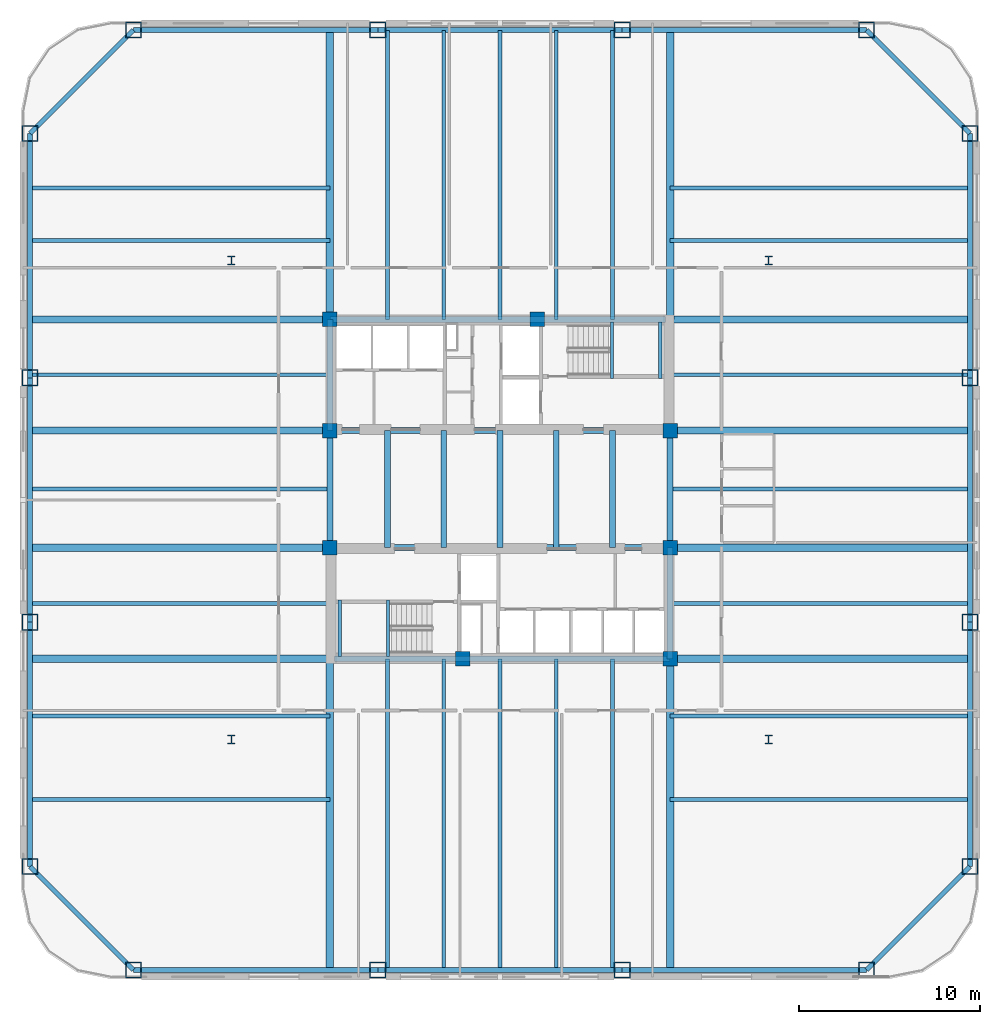
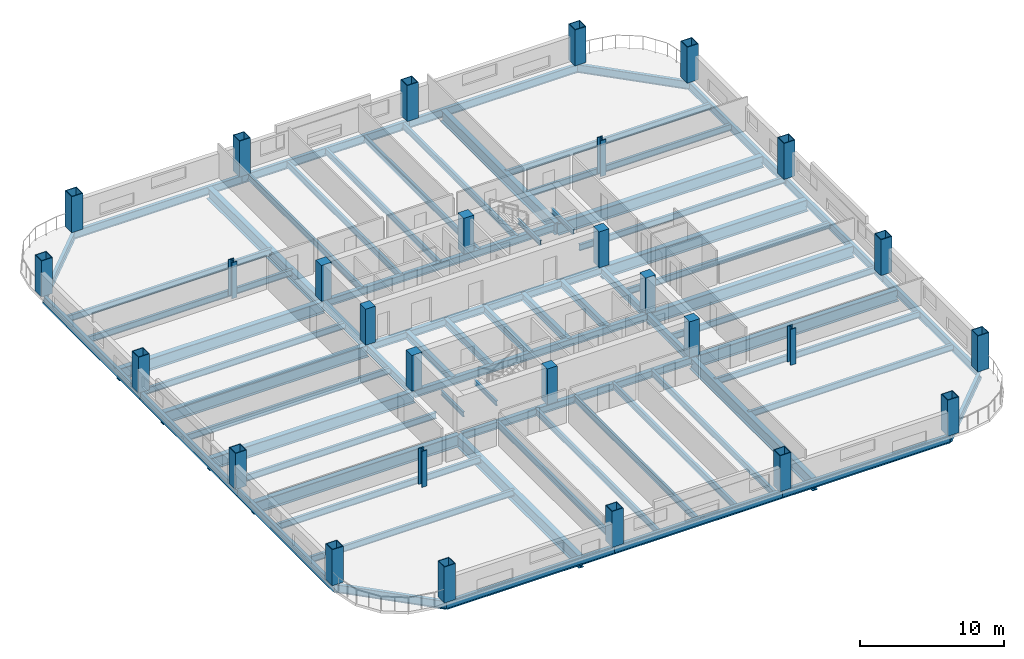
# One storey, part 1 of 12: 69 beams, 28 columns.
"""IFC4 building model written with IfcOpenShell, lengths in metres."""

from ifc_helpers import new_model, si_unit, direction, frame, origin, origin_2d, place, context, subcontext, project, spatial, rectangle, hollow_rectangle, i_section, extrude, material, material_profile, profile_set, type_object, element, save


model = new_model("IFC4")

# Units and contexts
model_context = context("Model", 3, precision=1e-05, world=origin(), true_north=direction((0.0, 1.0)))
body_context = subcontext(model_context, "Body", "Model", "MODEL_VIEW")
ifc_project = project(units=[si_unit("LENGTHUNIT", "METRE"), si_unit("AREAUNIT", "SQUARE_METRE"), si_unit("VOLUMEUNIT", "CUBIC_METRE"), si_unit("PLANEANGLEUNIT", "RADIAN"), si_unit("MASSUNIT", "GRAM", prefix="KILO")], contexts=[model_context])

# Site, building, storey
site_placement = place(None, origin())
site = spatial("IfcSite", under=ifc_project, at=site_placement, CompositionType="ELEMENT")
building_placement = place(site_placement, origin())
building = spatial("IfcBuilding", under=site, at=building_placement, Name="Qhalaya Broadcast Tower", CompositionType="ELEMENT")
storey_placement = place(building_placement, frame((0.0, 0.0, 41.35009765625)))
storey = spatial("IfcBuildingStorey", under=building, at=storey_placement, Name="L11", CompositionType="ELEMENT", Elevation=41.35009765625)

# Columns
ifc_material_1 = material(Name="Concrete C50/60", Category="concrete")
ifc_material_profile_1 = material_profile(ifc_material_1, rectangle(XDim=0.800048828125, YDim=0.800048828125, at=origin_2d()), Name="RC-COL 800x800")
ifc_profile_set_1 = profile_set([ifc_material_profile_1], Name="Concrete C50/60")
column_type_1 = type_object("IfcColumnType", Name="RC Upper Column C10", PredefinedType="COLUMN", material=ifc_profile_set_1)
for number, where, z_axis, x_axis, name in (
    (1, (-9.375, 9.949951171875, 0.0), (0.0, 0.0, 1.0), (1.0, 0.0, 0.0), "L11 Column COL-CC1"),
    (2, (2.050048828125, 9.949951171875, 0.0), (0.0, 0.0, 1.0), (1.0, 0.0, 0.0), "L11 Column COL-CC2"),
    (3, (-9.375, 3.824951171875, 0.0), (0.0, 0.0, 1.0), (1.0, 0.0, 0.0), "L11 Column COL-CC3"),
    (4, (9.375, 3.824951171875, 0.0), (0.0, 0.0, 1.0), (1.0, 0.0, 0.0), "L11 Column COL-CC4"),
    (5, (-9.375, -2.625, 0.0), (0.0, 0.0, 1.0), (1.0, 0.0, 0.0), "L11 Column COL-CC5"),
    (6, (9.375, -2.625, 0.0), (0.0, 0.0, 1.0), (1.0, 0.0, 0.0), "L11 Column COL-CC6"),
    (7, (-2.050048828125, -8.75, 0.0), (0.0, 0.0, 1.0), (1.0, 0.0, 0.0), "L11 Column COL-CC7"),
    (8, (9.375, -8.75, 0.0), (0.0, 0.0, 1.0), (1.0, 0.0, 0.0), "L11 Column COL-CC8"),
):
    element("IfcColumn", number, at=place(storey_placement, frame(where, z_axis=z_axis, x_axis=x_axis)), inside=storey, type_object=column_type_1, Name=name, PredefinedType="COLUMN", context=body_context, shape_type="SweptSolid", body=[
        extrude(rectangle(XDim=0.800048828125, YDim=0.800048828125, at=origin_2d()), origin(), (0.0, 0.0, 1.0), 3.0498046875),
    ])
ifc_material_2 = material(Name="Structural Steel ASTM A992 Grade 50", Category="steel")
ifc_material_profile_2 = material_profile(ifc_material_2, i_section(OverallWidth=0.41796875, OverallDepth=0.510009765625, WebThickness=0.0419921875, FlangeThickness=0.067626953125, at=origin_2d()), Name="W14X370")
ifc_profile_set_2 = profile_set([ifc_material_profile_2], Name="Structural Steel ASTM A992 Grade 50")
column_type_2 = type_object("IfcColumnType", Name="Rolled Gravity Column C06", PredefinedType="COLUMN", material=ifc_profile_set_2)
for number, where, z_axis, x_axis, name in (
    (9, (-14.800048828125, -13.199951171875, 0.0), (0.0, 0.0, 1.0), (1.0, 0.0, 0.0), "L11 Column COL-GR1"),
    (10, (14.800048828125, -13.199951171875, 0.0), (0.0, 0.0, 1.0), (1.0, 0.0, 0.0), "L11 Column COL-GR2"),
    (11, (-14.800048828125, 13.199951171875, 0.0), (0.0, 0.0, 1.0), (1.0, 0.0, 0.0), "L11 Column COL-GR3"),
    (12, (14.800048828125, 13.199951171875, 0.0), (0.0, 0.0, 1.0), (1.0, 0.0, 0.0), "L11 Column COL-GR4"),
):
    element("IfcColumn", number, at=place(storey_placement, frame(where, z_axis=z_axis, x_axis=x_axis)), inside=storey, type_object=column_type_2, Name=name, PredefinedType="COLUMN", context=body_context, shape_type="SweptSolid", body=[
        extrude(i_section(OverallWidth=0.41796875, OverallDepth=0.510009765625, WebThickness=0.0419921875, FlangeThickness=0.067626953125, at=origin_2d()), origin(), (0.0, 0.0, 1.0), 3.0498046875),
    ])
ifc_material_3 = material(Name="Structural Steel ASTM A572 Grade 50", Category="steel")
ifc_material_profile_3 = material_profile(ifc_material_3, hollow_rectangle(XDim=0.89990234375, YDim=0.89990234375, WallThickness=0.054931640625, at=origin_2d()), Name="BOX 900x900x55")
ifc_profile_set_3 = profile_set([ifc_material_profile_3], Name="Structural Steel ASTM A572 Grade 50")
column_type_3 = type_object("IfcColumnType", Name="Steel Box Column C02", PredefinedType="COLUMN", material=ifc_profile_set_3)
for number, where, z_axis, x_axis, name in (
    (13, (-20.199951171875, -25.89990234375, 0.0), (0.0, 0.0, 1.0), (1.0, 0.0, 0.0), "L11 Column COL-EX01"),
    (14, (-6.7333984375, -25.89990234375, 0.0), (0.0, 0.0, 1.0), (1.0, 0.0, 0.0), "L11 Column COL-EX02"),
    (15, (6.7333984375, -25.89990234375, 0.0), (0.0, 0.0, 1.0), (1.0, 0.0, 0.0), "L11 Column COL-EX03"),
    (16, (20.199951171875, -25.89990234375, 0.0), (0.0, 0.0, 1.0), (1.0, 0.0, 0.0), "L11 Column COL-EX04"),
    (17, (25.89990234375, -20.199951171875, 0.0), (0.0, 0.0, 1.0), (0.0, 1.0, 0.0), "L11 Column COL-EX05"),
    (18, (25.89990234375, -6.7333984375, 0.0), (0.0, 0.0, 1.0), (0.0, 1.0, 0.0), "L11 Column COL-EX06"),
    (19, (25.89990234375, 6.7333984375, 0.0), (0.0, 0.0, 1.0), (0.0, 1.0, 0.0), "L11 Column COL-EX07"),
    (20, (25.89990234375, 20.199951171875, 0.0), (0.0, 0.0, 1.0), (0.0, 1.0, 0.0), "L11 Column COL-EX08"),
    (21, (20.199951171875, 25.89990234375, 0.0), (0.0, 0.0, 1.0), (1.0, 0.0, 0.0), "L11 Column COL-EX09"),
    (22, (6.7333984375, 25.89990234375, 0.0), (0.0, 0.0, 1.0), (1.0, 0.0, 0.0), "L11 Column COL-EX10"),
    (23, (-6.7333984375, 25.89990234375, 0.0), (0.0, 0.0, 1.0), (1.0, 0.0, 0.0), "L11 Column COL-EX11"),
    (24, (-20.199951171875, 25.89990234375, 0.0), (0.0, 0.0, 1.0), (1.0, 0.0, 0.0), "L11 Column COL-EX12"),
    (25, (-25.89990234375, 20.199951171875, 0.0), (0.0, 0.0, 1.0), (0.0, 1.0, 0.0), "L11 Column COL-EX13"),
    (26, (-25.89990234375, 6.7333984375, 0.0), (0.0, 0.0, 1.0), (0.0, 1.0, 0.0), "L11 Column COL-EX14"),
    (27, (-25.89990234375, -6.7333984375, 0.0), (0.0, 0.0, 1.0), (0.0, 1.0, 0.0), "L11 Column COL-EX15"),
    (28, (-25.89990234375, -20.199951171875, 0.0), (0.0, 0.0, 1.0), (0.0, 1.0, 0.0), "L11 Column COL-EX16"),
):
    element("IfcColumn", number, at=place(storey_placement, frame(where, z_axis=z_axis, x_axis=x_axis)), inside=storey, type_object=column_type_3, Name=name, PredefinedType="COLUMN", context=body_context, shape_type="SweptSolid", body=[
        extrude(hollow_rectangle(XDim=0.89990234375, YDim=0.89990234375, WallThickness=0.054931640625, at=origin_2d()), origin(), (0.0, 0.0, 1.0), 3.0498046875),
    ])

# Beams
ifc_material_profile_4 = material_profile(ifc_material_2, i_section(OverallWidth=0.2099609375, OverallDepth=0.535888671875, WebThickness=0.010986328125, FlangeThickness=0.017333984375, at=origin_2d()), Name="W21X68")
ifc_profile_set_4 = profile_set([ifc_material_profile_4], Name="Structural Steel ASTM A992 Grade 50")
beam_type_1 = type_object("IfcBeamType", Name="Composite Floor Joist J02", PredefinedType="JOIST", material=ifc_profile_set_4)
beam_1_placement = place(storey_placement, frame((-6.199951171875, -25.8798828125, -0.488037109375), z_axis=(0.0, 1.0, 0.0), x_axis=(-1.0, 0.0, 0.0)))
element("IfcBeam", 29, at=beam_1_placement, inside=storey, type_object=beam_type_1, Name="L11 J02 L11-JNS1-1", PredefinedType="JOIST", context=body_context, shape_type="SweptSolid", body=[
    extrude(i_section(OverallWidth=0.2099609375, OverallDepth=0.535888671875, WebThickness=0.010986328125, FlangeThickness=0.017333984375, at=origin_2d()), origin(), (0.0, 0.0, 1.0), 17.1298828125),
])
beam_2_placement = place(storey_placement, frame((-6.199951171875, 9.949951171875, -0.488037109375), z_axis=(0.0, 1.0, 0.0), x_axis=(-1.0, 0.0, 0.0)))
element("IfcBeam", 30, at=beam_2_placement, inside=storey, type_object=beam_type_1, Name="L11 J02 L11-JNN1-1", PredefinedType="JOIST", context=body_context, shape_type="SweptSolid", body=[
    extrude(i_section(OverallWidth=0.2099609375, OverallDepth=0.535888671875, WebThickness=0.010986328125, FlangeThickness=0.017333984375, at=origin_2d()), origin(), (0.0, 0.0, 1.0), 15.929931640625),
])
beam_3_placement = place(storey_placement, frame((-3.10009765625, -25.8798828125, -0.488037109375), z_axis=(0.0, 1.0, 0.0), x_axis=(-1.0, 0.0, 0.0)))
element("IfcBeam", 31, at=beam_3_placement, inside=storey, type_object=beam_type_1, Name="L11 J02 L11-JNS2-1", PredefinedType="JOIST", context=body_context, shape_type="SweptSolid", body=[
    extrude(i_section(OverallWidth=0.2099609375, OverallDepth=0.535888671875, WebThickness=0.010986328125, FlangeThickness=0.017333984375, at=origin_2d()), origin(), (0.0, 0.0, 1.0), 17.1298828125),
])
beam_4_placement = place(storey_placement, frame((-3.10009765625, 9.949951171875, -0.488037109375), z_axis=(0.0, 1.0, 0.0), x_axis=(-1.0, 0.0, 0.0)))
element("IfcBeam", 32, at=beam_4_placement, inside=storey, type_object=beam_type_1, Name="L11 J02 L11-JNN2-1", PredefinedType="JOIST", context=body_context, shape_type="SweptSolid", body=[
    extrude(i_section(OverallWidth=0.2099609375, OverallDepth=0.535888671875, WebThickness=0.010986328125, FlangeThickness=0.017333984375, at=origin_2d()), origin(), (0.0, 0.0, 1.0), 15.929931640625),
])
beam_5_placement = place(storey_placement, frame((0.0, -25.8798828125, -0.488037109375), z_axis=(0.0, 1.0, 0.0), x_axis=(-1.0, 0.0, 0.0)))
element("IfcBeam", 33, at=beam_5_placement, inside=storey, type_object=beam_type_1, Name="L11 J02 L11-JNS3-1", PredefinedType="JOIST", context=body_context, shape_type="SweptSolid", body=[
    extrude(i_section(OverallWidth=0.2099609375, OverallDepth=0.535888671875, WebThickness=0.010986328125, FlangeThickness=0.017333984375, at=origin_2d()), origin(), (0.0, 0.0, 1.0), 17.1298828125),
])
beam_6_placement = place(storey_placement, frame((0.0, 9.949951171875, -0.488037109375), z_axis=(0.0, 1.0, 0.0), x_axis=(-1.0, 0.0, 0.0)))
element("IfcBeam", 34, at=beam_6_placement, inside=storey, type_object=beam_type_1, Name="L11 J02 L11-JNN3-1", PredefinedType="JOIST", context=body_context, shape_type="SweptSolid", body=[
    extrude(i_section(OverallWidth=0.2099609375, OverallDepth=0.535888671875, WebThickness=0.010986328125, FlangeThickness=0.017333984375, at=origin_2d()), origin(), (0.0, 0.0, 1.0), 15.929931640625),
])
beam_7_placement = place(storey_placement, frame((3.10009765625, -25.8798828125, -0.488037109375), z_axis=(0.0, 1.0, 0.0), x_axis=(-1.0, 0.0, 0.0)))
element("IfcBeam", 35, at=beam_7_placement, inside=storey, type_object=beam_type_1, Name="L11 J02 L11-JNS4-1", PredefinedType="JOIST", context=body_context, shape_type="SweptSolid", body=[
    extrude(i_section(OverallWidth=0.2099609375, OverallDepth=0.535888671875, WebThickness=0.010986328125, FlangeThickness=0.017333984375, at=origin_2d()), origin(), (0.0, 0.0, 1.0), 17.1298828125),
])
beam_8_placement = place(storey_placement, frame((3.10009765625, 9.949951171875, -0.488037109375), z_axis=(0.0, 1.0, 0.0), x_axis=(-1.0, 0.0, 0.0)))
element("IfcBeam", 36, at=beam_8_placement, inside=storey, type_object=beam_type_1, Name="L11 J02 L11-JNN4-1", PredefinedType="JOIST", context=body_context, shape_type="SweptSolid", body=[
    extrude(i_section(OverallWidth=0.2099609375, OverallDepth=0.535888671875, WebThickness=0.010986328125, FlangeThickness=0.017333984375, at=origin_2d()), origin(), (0.0, 0.0, 1.0), 15.929931640625),
])
beam_9_placement = place(storey_placement, frame((6.199951171875, -25.8798828125, -0.488037109375), z_axis=(0.0, 1.0, 0.0), x_axis=(-1.0, 0.0, 0.0)))
element("IfcBeam", 37, at=beam_9_placement, inside=storey, type_object=beam_type_1, Name="L11 J02 L11-JNS5-1", PredefinedType="JOIST", context=body_context, shape_type="SweptSolid", body=[
    extrude(i_section(OverallWidth=0.2099609375, OverallDepth=0.535888671875, WebThickness=0.010986328125, FlangeThickness=0.017333984375, at=origin_2d()), origin(), (0.0, 0.0, 1.0), 17.1298828125),
])
beam_10_placement = place(storey_placement, frame((6.199951171875, 9.949951171875, -0.488037109375), z_axis=(0.0, 1.0, 0.0), x_axis=(-1.0, 0.0, 0.0)))
element("IfcBeam", 38, at=beam_10_placement, inside=storey, type_object=beam_type_1, Name="L11 J02 L11-JNN5-1", PredefinedType="JOIST", context=body_context, shape_type="SweptSolid", body=[
    extrude(i_section(OverallWidth=0.2099609375, OverallDepth=0.535888671875, WebThickness=0.010986328125, FlangeThickness=0.017333984375, at=origin_2d()), origin(), (0.0, 0.0, 1.0), 15.929931640625),
])
for number, where, z_axis, x_axis, name in (
    (39, (-25.8798828125, -16.5, -0.488037109375), (1.0, 0.0, 0.0), (0.0, 1.0, 0.0), "L11 J02 L11-JWE1W-1"),
    (40, (9.375, -16.5, -0.488037109375), (1.0, 0.0, 0.0), (0.0, 1.0, 0.0), "L11 J02 L11-JWE1E-1"),
    (41, (-25.8798828125, -11.89990234375, -0.488037109375), (1.0, 0.0, 0.0), (0.0, 1.0, 0.0), "L11 J02 L11-JWE2W-1"),
    (42, (9.375, -11.89990234375, -0.488037109375), (1.0, 0.0, 0.0), (0.0, 1.0, 0.0), "L11 J02 L11-JWE2E-1"),
    (43, (-25.8798828125, -5.699951171875, -0.488037109375), (1.0, 0.0, 0.0), (0.0, 1.0, 0.0), "L11 J02 L11-JWE3W-1"),
    (44, (9.375, -5.699951171875, -0.488037109375), (1.0, 0.0, 0.0), (0.0, 1.0, 0.0), "L11 J02 L11-JWE3E-1"),
    (45, (-25.8798828125, 0.60009765625, -0.488037109375), (1.0, 0.0, 0.0), (0.0, 1.0, 0.0), "L11 J02 L11-JWE4W-1"),
    (46, (9.375, 0.60009765625, -0.488037109375), (1.0, 0.0, 0.0), (0.0, 1.0, 0.0), "L11 J02 L11-JWE4E-1"),
    (47, (-25.8798828125, 6.89990234375, -0.488037109375), (1.0, 0.0, 0.0), (0.0, 1.0, 0.0), "L11 J02 L11-JWE5W-1"),
    (48, (9.375, 6.89990234375, -0.488037109375), (1.0, 0.0, 0.0), (0.0, 1.0, 0.0), "L11 J02 L11-JWE5E-1"),
    (49, (-25.8798828125, 14.300048828125, -0.488037109375), (1.0, 0.0, 0.0), (0.0, 1.0, 0.0), "L11 J02 L11-JWE6W-1"),
    (50, (9.375, 14.300048828125, -0.488037109375), (1.0, 0.0, 0.0), (0.0, 1.0, 0.0), "L11 J02 L11-JWE6E-1"),
    (51, (-25.8798828125, 17.199951171875, -0.488037109375), (1.0, 0.0, 0.0), (0.0, 1.0, 0.0), "L11 J02 L11-JWE7W-1"),
    (52, (9.375, 17.199951171875, -0.488037109375), (1.0, 0.0, 0.0), (0.0, 1.0, 0.0), "L11 J02 L11-JWE7E-1"),
):
    element("IfcBeam", number, at=place(storey_placement, frame(where, z_axis=z_axis, x_axis=x_axis)), inside=storey, type_object=beam_type_1, Name=name, PredefinedType="JOIST", context=body_context, shape_type="SweptSolid", body=[
        extrude(i_section(OverallWidth=0.2099609375, OverallDepth=0.535888671875, WebThickness=0.010986328125, FlangeThickness=0.017333984375, at=origin_2d()), origin(), (0.0, 0.0, 1.0), 16.5048828125),
    ])
ifc_material_profile_5 = material_profile(ifc_material_2, i_section(OverallWidth=0.323974609375, OverallDepth=0.612060546875, WebThickness=0.0126953125, FlangeThickness=0.01904296875, at=origin_2d()), Name="W24X104")
ifc_profile_set_5 = profile_set([ifc_material_profile_5], Name="Structural Steel ASTM A992 Grade 50")
beam_type_2 = type_object("IfcBeamType", Name="Core Frame Tie Beam B04", PredefinedType="BEAM", material=ifc_profile_set_5)
beam_11_placement = place(storey_placement, frame((-9.375, 3.824951171875, -0.526123046875), z_axis=(1.0, 0.0, 0.0), x_axis=(0.0, 1.0, 0.0)))
element("IfcBeam", 53, at=beam_11_placement, inside=storey, type_object=beam_type_2, Name="L11 B04 L11-CCN1", PredefinedType="BEAM", context=body_context, shape_type="SweptSolid", body=[
    extrude(i_section(OverallWidth=0.323974609375, OverallDepth=0.612060546875, WebThickness=0.0126953125, FlangeThickness=0.01904296875, at=origin_2d()), origin(), (0.0, 0.0, 1.0), 18.75),
])
beam_12_placement = place(storey_placement, frame((-9.375, 3.824951171875, -0.526123046875), z_axis=(0.0, 1.0, 0.0), x_axis=(-1.0, 0.0, 0.0)))
element("IfcBeam", 54, at=beam_12_placement, inside=storey, type_object=beam_type_2, Name="L11 B04 L11-CCN2", PredefinedType="BEAM", context=body_context, shape_type="SweptSolid", body=[
    extrude(i_section(OverallWidth=0.323974609375, OverallDepth=0.612060546875, WebThickness=0.0126953125, FlangeThickness=0.01904296875, at=origin_2d()), origin(), (0.0, 0.0, 1.0), 6.125),
])
beam_13_placement = place(storey_placement, frame((-9.375, 9.949951171875, -0.526123046875), z_axis=(1.0, 0.0, 0.0), x_axis=(0.0, 1.0, 0.0)))
element("IfcBeam", 55, at=beam_13_placement, inside=storey, type_object=beam_type_2, Name="L11 B04 L11-CCN3", PredefinedType="BEAM", context=body_context, shape_type="SweptSolid", body=[
    extrude(i_section(OverallWidth=0.323974609375, OverallDepth=0.612060546875, WebThickness=0.0126953125, FlangeThickness=0.01904296875, at=origin_2d()), origin(), (0.0, 0.0, 1.0), 18.4951171875),
])
beam_14_placement = place(storey_placement, frame((-9.375, -2.625, -0.526123046875), z_axis=(1.0, 0.0, 0.0), x_axis=(0.0, 1.0, 0.0)))
element("IfcBeam", 56, at=beam_14_placement, inside=storey, type_object=beam_type_2, Name="L11 B04 L11-CCS1", PredefinedType="BEAM", context=body_context, shape_type="SweptSolid", body=[
    extrude(i_section(OverallWidth=0.323974609375, OverallDepth=0.612060546875, WebThickness=0.0126953125, FlangeThickness=0.01904296875, at=origin_2d()), origin(), (0.0, 0.0, 1.0), 18.75),
])
beam_15_placement = place(storey_placement, frame((9.375, -8.75, -0.526123046875), z_axis=(0.0, 1.0, 0.0), x_axis=(-1.0, 0.0, 0.0)))
element("IfcBeam", 57, at=beam_15_placement, inside=storey, type_object=beam_type_2, Name="L11 B04 L11-CCS2", PredefinedType="BEAM", context=body_context, shape_type="SweptSolid", body=[
    extrude(i_section(OverallWidth=0.323974609375, OverallDepth=0.612060546875, WebThickness=0.0126953125, FlangeThickness=0.01904296875, at=origin_2d()), origin(), (0.0, 0.0, 1.0), 6.125),
])
beam_16_placement = place(storey_placement, frame((-9.1201171875, -8.75, -0.526123046875), z_axis=(1.0, 0.0, 0.0), x_axis=(0.0, 1.0, 0.0)))
element("IfcBeam", 58, at=beam_16_placement, inside=storey, type_object=beam_type_2, Name="L11 B04 L11-CCS3", PredefinedType="BEAM", context=body_context, shape_type="SweptSolid", body=[
    extrude(i_section(OverallWidth=0.323974609375, OverallDepth=0.612060546875, WebThickness=0.0126953125, FlangeThickness=0.01904296875, at=origin_2d()), origin(), (0.0, 0.0, 1.0), 18.4951171875),
])
for number, where, z_axis, x_axis, name in (
    (59, (-9.375, -2.625, -0.526123046875), (0.0, 1.0, 0.0), (-1.0, 0.0, 0.0), "L11 B04 L11-CCW"),
    (60, (9.375, -2.625, -0.526123046875), (0.0, 1.0, 0.0), (-1.0, 0.0, 0.0), "L11 B04 L11-CCE"),
    (61, (-6.199951171875, -2.625, -0.526123046875), (0.0, 1.0, 0.0), (-1.0, 0.0, 0.0), "L11 B04 L11-JC1-1"),
    (62, (-3.10009765625, -2.625, -0.526123046875), (0.0, 1.0, 0.0), (-1.0, 0.0, 0.0), "L11 B04 L11-JC2-1"),
    (63, (0.0, -2.625, -0.526123046875), (0.0, 1.0, 0.0), (-1.0, 0.0, 0.0), "L11 B04 L11-JC3-1"),
    (64, (3.10009765625, -2.625, -0.526123046875), (0.0, 1.0, 0.0), (-1.0, 0.0, 0.0), "L11 B04 L11-JC4-1"),
    (65, (6.199951171875, -2.625, -0.526123046875), (0.0, 1.0, 0.0), (-1.0, 0.0, 0.0), "L11 B04 L11-JC5-1"),
):
    element("IfcBeam", number, at=place(storey_placement, frame(where, z_axis=z_axis, x_axis=x_axis)), inside=storey, type_object=beam_type_2, Name=name, PredefinedType="BEAM", context=body_context, shape_type="SweptSolid", body=[
        extrude(i_section(OverallWidth=0.323974609375, OverallDepth=0.612060546875, WebThickness=0.0126953125, FlangeThickness=0.01904296875, at=origin_2d()), origin(), (0.0, 0.0, 1.0), 6.449951171875),
    ])
ifc_material_profile_6 = material_profile(ifc_material_2, i_section(OverallWidth=0.40087890625, OverallDepth=1.010986328125, WebThickness=0.023681640625, FlangeThickness=0.0419921875, at=origin_2d()), Name="W40X297")
ifc_profile_set_6 = profile_set([ifc_material_profile_6], Name="Structural Steel ASTM A992 Grade 50")
beam_type_3 = type_object("IfcBeamType", Name="Lower Block Primary Girder PG2", PredefinedType="USERDEFINED", material=ifc_profile_set_6)
beam_17_placement = place(storey_placement, frame((-9.375, -25.8798828125, -0.7255859375), z_axis=(0.0, 1.0, 0.0), x_axis=(-1.0, 0.0, 0.0)))
element("IfcBeam", 66, at=beam_17_placement, inside=storey, type_object=beam_type_3, Name="L11 PG2 L11-PGXS1-1", ObjectType="GIRDER", PredefinedType="USERDEFINED", context=body_context, shape_type="SweptSolid", body=[
    extrude(i_section(OverallWidth=0.40087890625, OverallDepth=1.010986328125, WebThickness=0.023681640625, FlangeThickness=0.0419921875, at=origin_2d()), origin(), (0.0, 0.0, 1.0), 17.1298828125),
])
beam_18_placement = place(storey_placement, frame((-9.375, 9.949951171875, -0.7255859375), z_axis=(0.0, 1.0, 0.0), x_axis=(-1.0, 0.0, 0.0)))
element("IfcBeam", 67, at=beam_18_placement, inside=storey, type_object=beam_type_3, Name="L11 PG2 L11-PGXN1-1", ObjectType="GIRDER", PredefinedType="USERDEFINED", context=body_context, shape_type="SweptSolid", body=[
    extrude(i_section(OverallWidth=0.40087890625, OverallDepth=1.010986328125, WebThickness=0.023681640625, FlangeThickness=0.0419921875, at=origin_2d()), origin(), (0.0, 0.0, 1.0), 15.929931640625),
])
beam_19_placement = place(storey_placement, frame((9.375, -25.8798828125, -0.7255859375), z_axis=(0.0, 1.0, 0.0), x_axis=(-1.0, 0.0, 0.0)))
element("IfcBeam", 68, at=beam_19_placement, inside=storey, type_object=beam_type_3, Name="L11 PG2 L11-PGXS2-1", ObjectType="GIRDER", PredefinedType="USERDEFINED", context=body_context, shape_type="SweptSolid", body=[
    extrude(i_section(OverallWidth=0.40087890625, OverallDepth=1.010986328125, WebThickness=0.023681640625, FlangeThickness=0.0419921875, at=origin_2d()), origin(), (0.0, 0.0, 1.0), 17.1298828125),
])
beam_20_placement = place(storey_placement, frame((9.375, 9.949951171875, -0.7255859375), z_axis=(0.0, 1.0, 0.0), x_axis=(-1.0, 0.0, 0.0)))
element("IfcBeam", 69, at=beam_20_placement, inside=storey, type_object=beam_type_3, Name="L11 PG2 L11-PGXN2-1", ObjectType="GIRDER", PredefinedType="USERDEFINED", context=body_context, shape_type="SweptSolid", body=[
    extrude(i_section(OverallWidth=0.40087890625, OverallDepth=1.010986328125, WebThickness=0.023681640625, FlangeThickness=0.0419921875, at=origin_2d()), origin(), (0.0, 0.0, 1.0), 15.929931640625),
])
for number, where, z_axis, x_axis, name in (
    (70, (-25.8798828125, -8.75, -0.7255859375), (1.0, 0.0, 0.0), (0.0, 1.0, 0.0), "L11 PG2 L11-PGYW1-1"),
    (71, (9.375, -8.75, -0.7255859375), (1.0, 0.0, 0.0), (0.0, 1.0, 0.0), "L11 PG2 L11-PGYE1-1"),
    (72, (-25.8798828125, -2.625, -0.7255859375), (1.0, 0.0, 0.0), (0.0, 1.0, 0.0), "L11 PG2 L11-PGYW2-1"),
    (73, (9.375, -2.625, -0.7255859375), (1.0, 0.0, 0.0), (0.0, 1.0, 0.0), "L11 PG2 L11-PGYE2-1"),
    (74, (-25.8798828125, 3.824951171875, -0.7255859375), (1.0, 0.0, 0.0), (0.0, 1.0, 0.0), "L11 PG2 L11-PGYW3-1"),
    (75, (9.375, 3.824951171875, -0.7255859375), (1.0, 0.0, 0.0), (0.0, 1.0, 0.0), "L11 PG2 L11-PGYE3-1"),
    (76, (-25.8798828125, 9.949951171875, -0.7255859375), (1.0, 0.0, 0.0), (0.0, 1.0, 0.0), "L11 PG2 L11-PGYW4-1"),
    (77, (9.375, 9.949951171875, -0.7255859375), (1.0, 0.0, 0.0), (0.0, 1.0, 0.0), "L11 PG2 L11-PGYE4-1"),
):
    element("IfcBeam", number, at=place(storey_placement, frame(where, z_axis=z_axis, x_axis=x_axis)), inside=storey, type_object=beam_type_3, Name=name, ObjectType="GIRDER", PredefinedType="USERDEFINED", context=body_context, shape_type="SweptSolid", body=[
        extrude(i_section(OverallWidth=0.40087890625, OverallDepth=1.010986328125, WebThickness=0.023681640625, FlangeThickness=0.0419921875, at=origin_2d()), origin(), (0.0, 0.0, 1.0), 16.5048828125),
    ])
ifc_material_profile_7 = material_profile(ifc_material_2, i_section(OverallWidth=0.25390625, OverallDepth=0.68310546875, WebThickness=0.012451171875, FlangeThickness=0.01904296875, at=origin_2d()), Name="W27X94")
ifc_profile_set_7 = profile_set([ifc_material_profile_7], Name="Structural Steel ASTM A992 Grade 50")
beam_type_4 = type_object("IfcBeamType", Name="Perimeter Ring Spandrel Beam SP1", PredefinedType="SPANDREL", material=ifc_profile_set_7)
beam_21_placement = place(storey_placement, frame((-20.199951171875, -25.89990234375, -0.5615234375), z_axis=(1.0, 0.0, 0.0), x_axis=(0.0, 1.0, 0.0)))
element("IfcBeam", 78, at=beam_21_placement, inside=storey, type_object=beam_type_4, Name="L11 SP1 L11-SPR-01", PredefinedType="SPANDREL", context=body_context, shape_type="SweptSolid", body=[
    extrude(i_section(OverallWidth=0.25390625, OverallDepth=0.68310546875, WebThickness=0.012451171875, FlangeThickness=0.01904296875, at=origin_2d()), origin(), (0.0, 0.0, 1.0), 13.466552734375),
])
beam_22_placement = place(storey_placement, frame((-6.7333984375, -25.89990234375, -0.5615234375), z_axis=(1.0, 0.0, 0.0), x_axis=(0.0, 1.0, 0.0)))
element("IfcBeam", 79, at=beam_22_placement, inside=storey, type_object=beam_type_4, Name="L11 SP1 L11-SPR-02", PredefinedType="SPANDREL", context=body_context, shape_type="SweptSolid", body=[
    extrude(i_section(OverallWidth=0.25390625, OverallDepth=0.68310546875, WebThickness=0.012451171875, FlangeThickness=0.01904296875, at=origin_2d()), origin(), (0.0, 0.0, 1.0), 13.466796875),
])
beam_23_placement = place(storey_placement, frame((6.7333984375, -25.89990234375, -0.5615234375), z_axis=(1.0, 0.0, 0.0), x_axis=(0.0, 1.0, 0.0)))
element("IfcBeam", 80, at=beam_23_placement, inside=storey, type_object=beam_type_4, Name="L11 SP1 L11-SPR-03", PredefinedType="SPANDREL", context=body_context, shape_type="SweptSolid", body=[
    extrude(i_section(OverallWidth=0.25390625, OverallDepth=0.68310546875, WebThickness=0.012451171875, FlangeThickness=0.01904296875, at=origin_2d()), origin(), (0.0, 0.0, 1.0), 13.466552734375),
])
beam_24_placement = place(storey_placement, frame((20.199951171875, -25.89990234375, -0.5615234375), z_axis=(0.707106781187, 0.707106781187, 0.0), x_axis=(-0.707106781187, 0.707106781187, 0.0)))
element("IfcBeam", 81, at=beam_24_placement, inside=storey, type_object=beam_type_4, Name="L11 SP1 L11-SPR-04", PredefinedType="SPANDREL", context=body_context, shape_type="SweptSolid", body=[
    extrude(i_section(OverallWidth=0.25390625, OverallDepth=0.68310546875, WebThickness=0.012451171875, FlangeThickness=0.01904296875, at=origin_2d()), origin(), (0.0, 0.0, 1.0), 8.06103515625),
])
beam_25_placement = place(storey_placement, frame((25.89990234375, -20.199951171875, -0.5615234375), z_axis=(0.0, 1.0, 0.0), x_axis=(-1.0, 0.0, 0.0)))
element("IfcBeam", 82, at=beam_25_placement, inside=storey, type_object=beam_type_4, Name="L11 SP1 L11-SPR-05", PredefinedType="SPANDREL", context=body_context, shape_type="SweptSolid", body=[
    extrude(i_section(OverallWidth=0.25390625, OverallDepth=0.68310546875, WebThickness=0.012451171875, FlangeThickness=0.01904296875, at=origin_2d()), origin(), (0.0, 0.0, 1.0), 13.466552734375),
])
beam_26_placement = place(storey_placement, frame((25.89990234375, -6.7333984375, -0.5615234375), z_axis=(0.0, 1.0, 0.0), x_axis=(-1.0, 0.0, 0.0)))
element("IfcBeam", 83, at=beam_26_placement, inside=storey, type_object=beam_type_4, Name="L11 SP1 L11-SPR-06", PredefinedType="SPANDREL", context=body_context, shape_type="SweptSolid", body=[
    extrude(i_section(OverallWidth=0.25390625, OverallDepth=0.68310546875, WebThickness=0.012451171875, FlangeThickness=0.01904296875, at=origin_2d()), origin(), (0.0, 0.0, 1.0), 13.466796875),
])
beam_27_placement = place(storey_placement, frame((25.89990234375, 6.7333984375, -0.5615234375), z_axis=(0.0, 1.0, 0.0), x_axis=(-1.0, 0.0, 0.0)))
element("IfcBeam", 84, at=beam_27_placement, inside=storey, type_object=beam_type_4, Name="L11 SP1 L11-SPR-07", PredefinedType="SPANDREL", context=body_context, shape_type="SweptSolid", body=[
    extrude(i_section(OverallWidth=0.25390625, OverallDepth=0.68310546875, WebThickness=0.012451171875, FlangeThickness=0.01904296875, at=origin_2d()), origin(), (0.0, 0.0, 1.0), 13.466552734375),
])
beam_28_placement = place(storey_placement, frame((25.89990234375, 20.199951171875, -0.5615234375), z_axis=(-0.707106781187, 0.707106781187, 0.0), x_axis=(-0.707106781187, -0.707106781187, 0.0)))
element("IfcBeam", 85, at=beam_28_placement, inside=storey, type_object=beam_type_4, Name="L11 SP1 L11-SPR-08", PredefinedType="SPANDREL", context=body_context, shape_type="SweptSolid", body=[
    extrude(i_section(OverallWidth=0.25390625, OverallDepth=0.68310546875, WebThickness=0.012451171875, FlangeThickness=0.01904296875, at=origin_2d()), origin(), (0.0, 0.0, 1.0), 8.06103515625),
])
beam_29_placement = place(storey_placement, frame((20.199951171875, 25.89990234375, -0.5615234375), z_axis=(-1.0, 0.0, 0.0), x_axis=(0.0, -1.0, 0.0)))
element("IfcBeam", 86, at=beam_29_placement, inside=storey, type_object=beam_type_4, Name="L11 SP1 L11-SPR-09", PredefinedType="SPANDREL", context=body_context, shape_type="SweptSolid", body=[
    extrude(i_section(OverallWidth=0.25390625, OverallDepth=0.68310546875, WebThickness=0.012451171875, FlangeThickness=0.01904296875, at=origin_2d()), origin(), (0.0, 0.0, 1.0), 13.466552734375),
])
beam_30_placement = place(storey_placement, frame((6.7333984375, 25.89990234375, -0.5615234375), z_axis=(-1.0, 0.0, 0.0), x_axis=(0.0, -1.0, 0.0)))
element("IfcBeam", 87, at=beam_30_placement, inside=storey, type_object=beam_type_4, Name="L11 SP1 L11-SPR-10", PredefinedType="SPANDREL", context=body_context, shape_type="SweptSolid", body=[
    extrude(i_section(OverallWidth=0.25390625, OverallDepth=0.68310546875, WebThickness=0.012451171875, FlangeThickness=0.01904296875, at=origin_2d()), origin(), (0.0, 0.0, 1.0), 13.466796875),
])
beam_31_placement = place(storey_placement, frame((-6.7333984375, 25.89990234375, -0.5615234375), z_axis=(-1.0, 0.0, 0.0), x_axis=(0.0, -1.0, 0.0)))
element("IfcBeam", 88, at=beam_31_placement, inside=storey, type_object=beam_type_4, Name="L11 SP1 L11-SPR-11", PredefinedType="SPANDREL", context=body_context, shape_type="SweptSolid", body=[
    extrude(i_section(OverallWidth=0.25390625, OverallDepth=0.68310546875, WebThickness=0.012451171875, FlangeThickness=0.01904296875, at=origin_2d()), origin(), (0.0, 0.0, 1.0), 13.466552734375),
])
beam_32_placement = place(storey_placement, frame((-20.199951171875, 25.89990234375, -0.5615234375), z_axis=(-0.707106781187, -0.707106781187, 0.0), x_axis=(0.707106781187, -0.707106781187, 0.0)))
element("IfcBeam", 89, at=beam_32_placement, inside=storey, type_object=beam_type_4, Name="L11 SP1 L11-SPR-12", PredefinedType="SPANDREL", context=body_context, shape_type="SweptSolid", body=[
    extrude(i_section(OverallWidth=0.25390625, OverallDepth=0.68310546875, WebThickness=0.012451171875, FlangeThickness=0.01904296875, at=origin_2d()), origin(), (0.0, 0.0, 1.0), 8.06103515625),
])
beam_33_placement = place(storey_placement, frame((-25.89990234375, 20.199951171875, -0.5615234375), z_axis=(0.0, -1.0, 0.0), x_axis=(1.0, 0.0, 0.0)))
element("IfcBeam", 90, at=beam_33_placement, inside=storey, type_object=beam_type_4, Name="L11 SP1 L11-SPR-13", PredefinedType="SPANDREL", context=body_context, shape_type="SweptSolid", body=[
    extrude(i_section(OverallWidth=0.25390625, OverallDepth=0.68310546875, WebThickness=0.012451171875, FlangeThickness=0.01904296875, at=origin_2d()), origin(), (0.0, 0.0, 1.0), 13.466552734375),
])
beam_34_placement = place(storey_placement, frame((-25.89990234375, 6.7333984375, -0.5615234375), z_axis=(0.0, -1.0, 0.0), x_axis=(1.0, 0.0, 0.0)))
element("IfcBeam", 91, at=beam_34_placement, inside=storey, type_object=beam_type_4, Name="L11 SP1 L11-SPR-14", PredefinedType="SPANDREL", context=body_context, shape_type="SweptSolid", body=[
    extrude(i_section(OverallWidth=0.25390625, OverallDepth=0.68310546875, WebThickness=0.012451171875, FlangeThickness=0.01904296875, at=origin_2d()), origin(), (0.0, 0.0, 1.0), 13.466796875),
])
beam_35_placement = place(storey_placement, frame((-25.89990234375, -6.7333984375, -0.5615234375), z_axis=(0.0, -1.0, 0.0), x_axis=(1.0, 0.0, 0.0)))
element("IfcBeam", 92, at=beam_35_placement, inside=storey, type_object=beam_type_4, Name="L11 SP1 L11-SPR-15", PredefinedType="SPANDREL", context=body_context, shape_type="SweptSolid", body=[
    extrude(i_section(OverallWidth=0.25390625, OverallDepth=0.68310546875, WebThickness=0.012451171875, FlangeThickness=0.01904296875, at=origin_2d()), origin(), (0.0, 0.0, 1.0), 13.466552734375),
])
beam_36_placement = place(storey_placement, frame((-25.89990234375, -20.199951171875, -0.5615234375), z_axis=(0.707106781187, -0.707106781187, 0.0), x_axis=(0.707106781187, 0.707106781187, 0.0)))
element("IfcBeam", 93, at=beam_36_placement, inside=storey, type_object=beam_type_4, Name="L11 SP1 L11-SPR-16", PredefinedType="SPANDREL", context=body_context, shape_type="SweptSolid", body=[
    extrude(i_section(OverallWidth=0.25390625, OverallDepth=0.68310546875, WebThickness=0.012451171875, FlangeThickness=0.01904296875, at=origin_2d()), origin(), (0.0, 0.0, 1.0), 8.06103515625),
])
ifc_material_profile_8 = material_profile(ifc_material_2, i_section(OverallWidth=0.177978515625, OverallDepth=0.406005859375, WebThickness=0.0078125, FlangeThickness=0.0126953125, at=origin_2d()), Name="W16X40")
ifc_profile_set_8 = profile_set([ifc_material_profile_8], Name="Structural Steel ASTM A992 Grade 50")
beam_type_5 = type_object("IfcBeamType", Name="Upper Perimeter Spandrel Beam SP2", PredefinedType="SPANDREL", material=ifc_profile_set_8)
for number, where, z_axis, x_axis, name in (
    (94, (6.175048828125, 6.699951171875, 1.121826171875), (0.0, 1.0, 0.0), (-1.0, 0.0, 0.0), "L11 ST-1 Half-Landing Bearer Beam 1"),
    (95, (8.830078125, 6.699951171875, 1.121826171875), (0.0, 1.0, 0.0), (-1.0, 0.0, 0.0), "L11 ST-1 Half-Landing Bearer Beam 2"),
    (96, (-8.830078125, -8.6201171875, 1.121826171875), (0.0, 1.0, 0.0), (-1.0, 0.0, 0.0), "L11 ST-2 Half-Landing Bearer Beam 1"),
    (97, (-6.175048828125, -8.6201171875, 1.121826171875), (0.0, 1.0, 0.0), (-1.0, 0.0, 0.0), "L11 ST-2 Half-Landing Bearer Beam 2"),
):
    element("IfcBeam", number, at=place(storey_placement, frame(where, z_axis=z_axis, x_axis=x_axis)), inside=storey, type_object=beam_type_5, Name=name, PredefinedType="SPANDREL", context=body_context, shape_type="SweptSolid", body=[
        extrude(i_section(OverallWidth=0.177978515625, OverallDepth=0.406005859375, WebThickness=0.0078125, FlangeThickness=0.0126953125, at=origin_2d()), origin(), (0.0, 0.0, 1.0), 3.1201171875),
    ])

save(model, "model.ifc")
